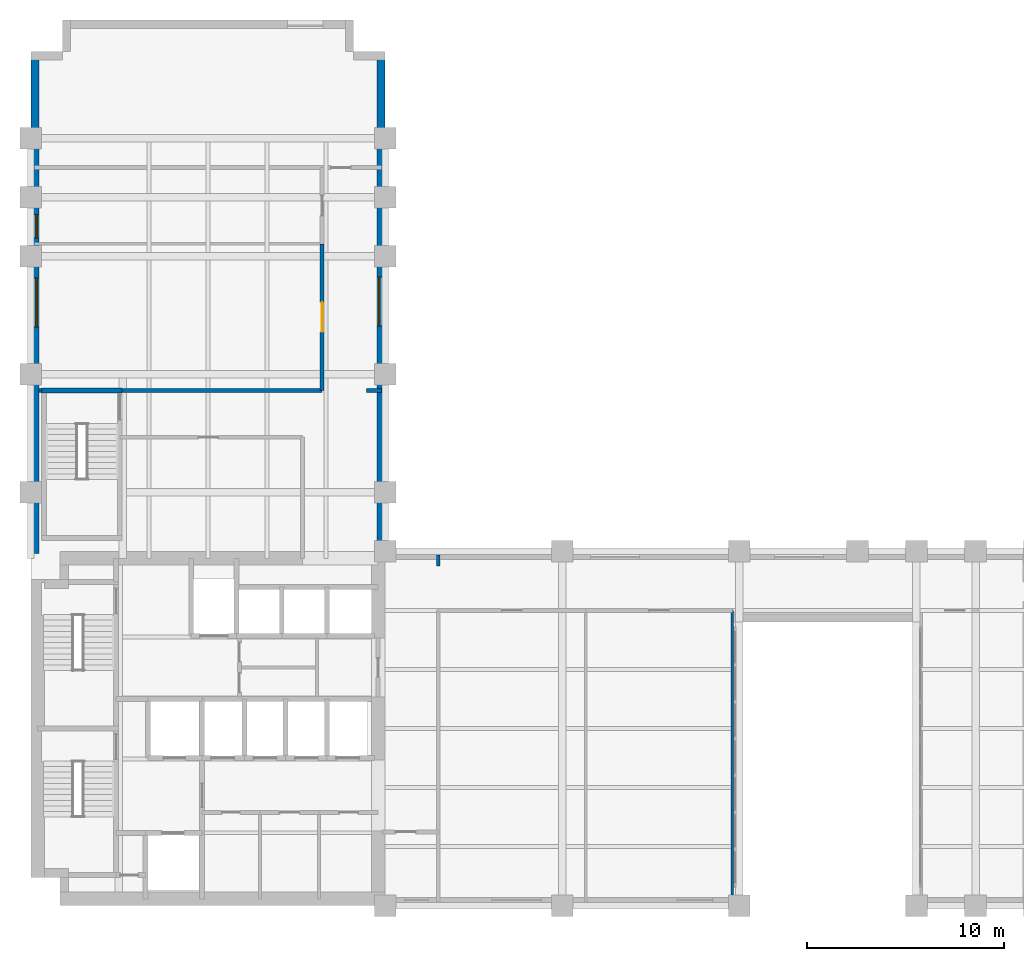
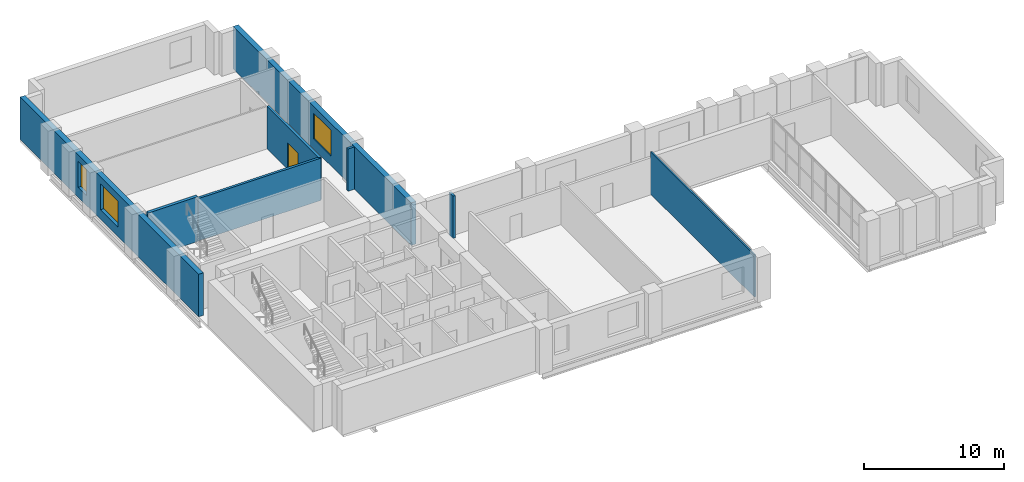
# One storey, part 8 of 10: 9 walls, 3 windows, 1 door, 4 openings.
"""IFC4 building model written with IfcOpenShell, lengths in metres."""

from ifc_helpers import new_model, si_unit, direction, frame, frame_2d, origin, place, context, subcontext, project, spatial, rectangle, extrude, material, layer, layer_set, type_object, element, fill, save


model = new_model("IFC4")

# Units and contexts
model_context = context("Model", 3, precision=1e-05, world=origin(), true_north=direction((0.0, 1.0)))
body_context = subcontext(model_context, "Body", "Model", "MODEL_VIEW")
ifc_project = project(units=[si_unit("LENGTHUNIT", "METRE"), si_unit("AREAUNIT", "SQUARE_METRE"), si_unit("VOLUMEUNIT", "CUBIC_METRE"), si_unit("PLANEANGLEUNIT", "RADIAN"), si_unit("MASSUNIT", "GRAM", prefix="KILO")], contexts=[model_context])

# Site, building, storey
site_placement = place(None, origin())
site = spatial("IfcSite", under=ifc_project, at=site_placement, CompositionType="ELEMENT")
building_placement = place(site_placement, origin())
building = spatial("IfcBuilding", under=site, at=building_placement, Name="Mawjdan Bourse Tower", CompositionType="ELEMENT")
storey_placement = place(building_placement, frame((0.0, 0.0, 124.5)))
storey = spatial("IfcBuildingStorey", under=building, at=storey_placement, Name="L29", CompositionType="ELEMENT", Elevation=124.5)

# Wall, opening, window
ifc_material_1 = material(Name="Brick Masonry Buff", Category="masonry")
ifc_layer_1 = layer(ifc_material_1, 0.419921875)
ifc_layer_set_1 = layer_set([ifc_layer_1], Name="Brick Masonry Buff")
wall_type_1 = type_object("IfcWallType", Name="WL-BRK-BUFF-420", PredefinedType="STANDARD", material=ifc_layer_set_1)
wall_1_placement = place(storey_placement, frame((23.7900390625, 21.0, 0.0), z_axis=(0.0, 0.0, 1.0), x_axis=(0.0, 1.0, 0.0)))
wall_1 = element("IfcWall", 1, at=wall_1_placement, inside=storey, type_object=wall_type_1, Name="L29 Exterior Brick Wall 12", PredefinedType="STANDARD", context=body_context, shape_type="SweptSolid", body=[
    extrude(rectangle(XDim=25.39990234375, YDim=0.419921875, at=frame_2d((12.699951171875, 0.0))), origin(), (0.0, 0.0, 1.0), 3.699951171875),
])
opening_1_placement = place(wall_1_placement, frame((11.449951171875, 0.0, 0.85009765625)))
opening_1 = element("IfcOpeningElement", 2, at=opening_1_placement, cuts=wall_1, Name="Opening W-L29-07", PredefinedType="OPENING", context=body_context, shape_type="SweptSolid", body=[
    extrude(rectangle(XDim=2.5, YDim=2.25, at=frame_2d((1.25, 1.125))), frame((0.0, 0.219970703125, 0.0), z_axis=(0.0, -1.0, 0.0), x_axis=(1.0, 0.0, 0.0)), (0.0, 0.0, 1.0), 0.43994140625),
])
ifc_material_2 = material(Name="Solar-Control Clear Double Glazing", Category="glass")
window_type_1 = type_object("IfcWindowType", Name="WN-Z2-2500", PartitioningType="SINGLE_PANEL", PredefinedType="WINDOW", material=ifc_material_2)
window_1_placement = place(opening_1_placement, origin())
window_1 = element("IfcWindow", 3, at=window_1_placement, inside=storey, type_object=window_type_1, Name="L29 Deep-Set Masonry Window W-L29-07", OverallHeight=2.25, OverallWidth=2.5, PartitioningType="SINGLE_PANEL", PredefinedType="WINDOW", context=body_context, shape_type="SweptSolid", body=[
    extrude(rectangle(XDim=2.5, YDim=2.25, at=frame_2d((1.25, 1.125))), frame((0.0, 0.110107421875, 0.0), z_axis=(0.0, -1.0, 0.0), x_axis=(1.0, 0.0, 0.0)), (0.0, 0.0, 1.0), 0.06005859375),
])
fill(opening_1, window_1)

# Wall, openings, windows
wall_2_placement = place(storey_placement, frame((6.2099609375, 46.39990234375, 0.0), z_axis=(0.0, 0.0, 1.0), x_axis=(0.0, -1.0, 0.0)))
wall_2 = element("IfcWall", 4, at=wall_2_placement, inside=storey, type_object=wall_type_1, Name="L29 Exterior Brick Wall 18", PredefinedType="STANDARD", context=body_context, shape_type="SweptSolid", body=[
    extrude(rectangle(XDim=25.5, YDim=0.419921875, at=frame_2d((12.75, 0.0))), origin(), (0.0, 0.0, 1.0), 3.699951171875),
])
opening_2_placement = place(wall_2_placement, frame((11.5, 0.0, 0.85009765625)))
opening_2 = element("IfcOpeningElement", 5, at=opening_2_placement, cuts=wall_2, Name="Opening W-L29-09", PredefinedType="OPENING", context=body_context, shape_type="SweptSolid", body=[
    extrude(rectangle(XDim=2.5, YDim=2.25, at=frame_2d((1.25, 1.125))), frame((0.0, 0.219970703125, 0.0), z_axis=(0.0, -1.0, 0.0), x_axis=(1.0, 0.0, 0.0)), (0.0, 0.0, 1.0), 0.43994140625),
])
opening_3_placement = place(wall_2_placement, frame((8.2861328125, 0.0, 0.85009765625)))
opening_3 = element("IfcOpeningElement", 6, at=opening_3_placement, cuts=wall_2, Name="Opening W-L29-11", PredefinedType="OPENING", context=body_context, shape_type="SweptSolid", body=[
    extrude(rectangle(XDim=1.199951171875, YDim=2.25, at=frame_2d((0.60009765625, 1.125))), frame((0.0, 0.219970703125, 0.0), z_axis=(0.0, -1.0, 0.0), x_axis=(1.0, 0.0, 0.0)), (0.0, 0.0, 1.0), 0.43994140625),
])
window_type_2 = type_object("IfcWindowType", Name="WN-Z2-1200", PartitioningType="SINGLE_PANEL", PredefinedType="WINDOW", material=ifc_material_2)
window_2_placement = place(opening_3_placement, origin())
window_2 = element("IfcWindow", 7, at=window_2_placement, inside=storey, type_object=window_type_2, Name="L29 Deep-Set Masonry Window W-L29-11", OverallHeight=2.25, OverallWidth=1.199951171875, PartitioningType="SINGLE_PANEL", PredefinedType="WINDOW", context=body_context, shape_type="SweptSolid", body=[
    extrude(rectangle(XDim=1.199951171875, YDim=2.25, at=frame_2d((0.60009765625, 1.125))), frame((0.0, 0.110107421875, 0.0), z_axis=(0.0, -1.0, 0.0), x_axis=(1.0, 0.0, 0.0)), (0.0, 0.0, 1.0), 0.06005859375),
])
fill(opening_3, window_2)
window_3_placement = place(opening_2_placement, origin())
window_3 = element("IfcWindow", 8, at=window_3_placement, inside=storey, type_object=window_type_1, Name="L29 Deep-Set Masonry Window W-L29-09", OverallHeight=2.25, OverallWidth=2.5, PartitioningType="SINGLE_PANEL", PredefinedType="WINDOW", context=body_context, shape_type="SweptSolid", body=[
    extrude(rectangle(XDim=2.5, YDim=2.25, at=frame_2d((1.25, 1.125))), frame((0.0, 0.110107421875, 0.0), z_axis=(0.0, -1.0, 0.0), x_axis=(1.0, 0.0, 0.0)), (0.0, 0.0, 1.0), 0.06005859375),
])
fill(opening_2, window_3)

# Walls
ifc_material_3 = material(Name="Gypsum Fireboard Assembly")
ifc_layer_2 = layer(ifc_material_3, 0.199951171875)
ifc_layer_set_2 = layer_set([ifc_layer_2], Name="Gypsum Fireboard Assembly")
wall_type_2 = type_object("IfcWallType", Name="WL-CMP-200", PredefinedType="PARTITIONING", material=ifc_layer_set_2)
wall_3_placement = place(storey_placement, frame((26.699951171875, 20.25, 0.0), z_axis=(0.0, 0.0, 1.0), x_axis=(0.0, 1.0, 0.0)))
element("IfcWall", 9, at=wall_3_placement, inside=storey, type_object=wall_type_2, Name="L29 Vestibule North East Wall", PredefinedType="PARTITIONING", context=body_context, shape_type="SweptSolid", body=[
    extrude(rectangle(XDim=0.570068359375, YDim=0.199951171875, at=frame_2d((0.28515625, 0.0))), origin(), (0.0, 0.0, 1.0), 3.68994140625),
])
wall_4_placement = place(storey_placement, frame((6.419921875, 29.179931640625, 0.0), z_axis=(0.0, 0.0, 1.0), x_axis=(1.0, 0.0, 0.0)))
element("IfcWall", 10, at=wall_4_placement, inside=storey, type_object=wall_type_2, Name="L29 North West Band ST3 West Return", PredefinedType="PARTITIONING", context=body_context, shape_type="SweptSolid", body=[
    extrude(rectangle(XDim=0.135009765625, YDim=0.199951171875, at=frame_2d((0.0673828125, 0.0))), origin(), (0.0, 0.0, 1.0), 3.68994140625),
])
wall_5_placement = place(storey_placement, frame((10.6298828125, 29.179931640625, 0.0), z_axis=(0.0, 0.0, 1.0), x_axis=(1.0, 0.0, 0.0)))
element("IfcWall", 11, at=wall_5_placement, inside=storey, type_object=wall_type_2, Name="L29 North West Band South Wall", PredefinedType="PARTITIONING", context=body_context, shape_type="SweptSolid", body=[
    extrude(rectangle(XDim=10.170166015625, YDim=0.199951171875, at=frame_2d((5.0849609375, 0.0))), origin(), (0.0, 0.0, 1.0), 3.68994140625),
])
wall_6_placement = place(storey_placement, frame((23.050048828125, 29.179931640625, 0.0), z_axis=(0.0, 0.0, 1.0), x_axis=(1.0, 0.0, 0.0)))
element("IfcWall", 12, at=wall_6_placement, inside=storey, type_object=wall_type_2, Name="L29 North East Band South Wall", PredefinedType="PARTITIONING", context=body_context, shape_type="SweptSolid", body=[
    extrude(rectangle(XDim=0.77001953125, YDim=0.199951171875, at=frame_2d((0.385009765625, 0.0))), origin(), (0.0, 0.0, 1.0), 3.68994140625),
])

# Wall, opening, door
wall_7_placement = place(storey_placement, frame((20.800048828125, 29.179931640625, 0.0), z_axis=(0.0, 0.0, 1.0), x_axis=(0.0, 1.0, 0.0)))
wall_7 = element("IfcWall", 13, at=wall_7_placement, inside=storey, type_object=wall_type_2, Name="L29 Brokerage Executive Suite Corridor Wall", PredefinedType="PARTITIONING", context=body_context, shape_type="SweptSolid", body=[
    extrude(rectangle(XDim=7.440185546875, YDim=0.199951171875, at=frame_2d((3.72021484375, 0.0))), origin(), (0.0, 0.0, 1.0), 3.68994140625),
])
opening_4_placement = place(wall_7_placement, frame((2.969970703125, 0.0, 0.0)))
opening_4 = element("IfcOpeningElement", 14, at=opening_4_placement, cuts=wall_7, Name="Opening D-L29-27", PredefinedType="OPENING", context=body_context, shape_type="SweptSolid", body=[
    extrude(rectangle(XDim=1.5, YDim=2.300048828125, at=frame_2d((0.75, 1.14990234375))), frame((0.0, 0.10986328125, 0.0), z_axis=(0.0, -1.0, 0.0), x_axis=(1.0, 0.0, 0.0)), (0.0, 0.0, 1.0), 0.219970703125),
])
ifc_material_4 = material(Name="Acoustic Glazed Timber", Category="wood")
door_type = type_object("IfcDoorType", Name="DR-CNF-1500", OperationType="DOUBLE_DOOR_SINGLE_SWING", PredefinedType="DOOR", material=ifc_material_4)
door_placement = place(opening_4_placement, origin())
door = element("IfcDoor", 15, at=door_placement, inside=storey, type_object=door_type, Name="L29 Brokerage Executive Suite Door D-L29-27", OperationType="DOUBLE_DOOR_SINGLE_SWING", OverallHeight=2.300048828125, OverallWidth=1.5, PredefinedType="DOOR", context=body_context, shape_type="SweptSolid", body=[
    extrude(rectangle(XDim=1.5, YDim=2.300048828125, at=frame_2d((0.75, 1.14990234375))), frame((0.0, 0.02490234375, 0.0), z_axis=(0.0, -1.0, 0.0), x_axis=(1.0, 0.0, 0.0)), (0.0, 0.0, 1.0), 0.050048828125),
])
fill(opening_4, door)

# Walls
ifc_material_5 = material(Name="Gypsum Partition")
ifc_layer_3 = layer(ifc_material_5, 0.125)
ifc_layer_set_3 = layer_set([ifc_layer_3], Name="Gypsum Partition")
wall_type_3 = type_object("IfcWallType", Name="WL-PRT-125", PredefinedType="PARTITIONING", material=ifc_layer_set_3)
wall_8_placement = place(storey_placement, frame((41.64990234375, 3.179931640625, 0.0), z_axis=(0.0, 0.0, 1.0), x_axis=(0.0, 1.0, 0.0)))
element("IfcWall", 16, at=wall_8_placement, inside=storey, type_object=wall_type_3, Name="L29 East Portal West Cheek Wall", PredefinedType="PARTITIONING", context=body_context, shape_type="SweptSolid", body=[
    extrude(rectangle(XDim=14.820068359375, YDim=0.125, at=frame_2d((7.41015625, 0.0))), origin(), (0.0, 0.0, 1.0), 3.68994140625),
])
ifc_material_6 = material(Name="Concrete C50/60", Category="concrete")
ifc_layer_4 = layer(ifc_material_6, 0.25)
ifc_layer_set_4 = layer_set([ifc_layer_4], Name="Concrete C50/60")
wall_type_4 = type_object("IfcWallType", Name="WL-STRW-250", PredefinedType="SHEAR", material=ifc_layer_set_4)
wall_9_placement = place(storey_placement, frame((6.554931640625, 29.179931640625, 0.0), z_axis=(0.0, 0.0, 1.0), x_axis=(1.0, 0.0, 0.0)))
element("IfcWall", 17, at=wall_9_placement, inside=storey, type_object=wall_type_4, Name="L29 ST3 North Shaft Wall", PredefinedType="SHEAR", context=body_context, shape_type="SweptSolid", body=[
    extrude(rectangle(XDim=4.090087890625, YDim=0.25, at=frame_2d((2.044921875, 0.0))), origin(), (0.0, 0.0, 1.0), 3.89990234375),
])

save(model, "model.ifc")
